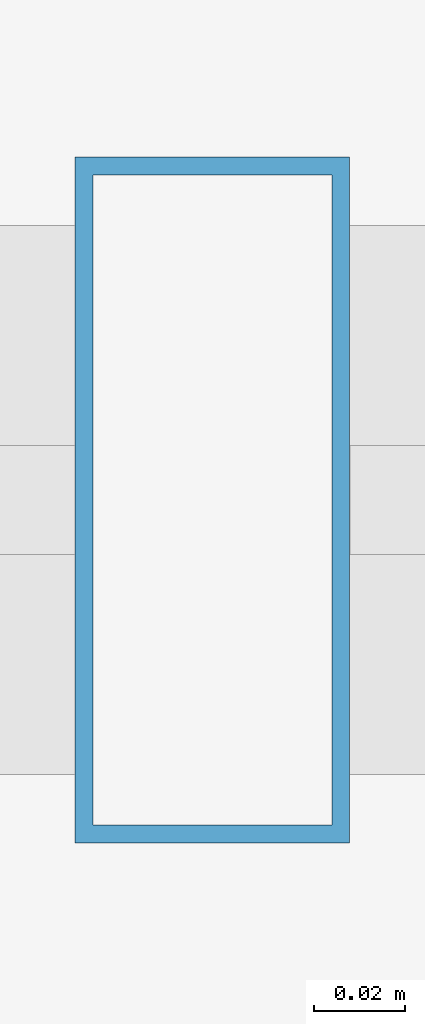
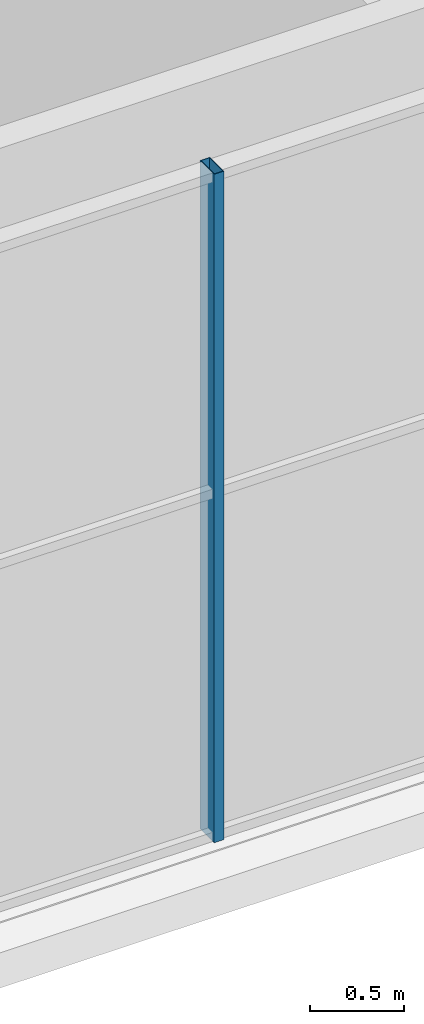
# One storey, part 9 of 27: 1 member, 1 element without a shape of its own.
"""IFC4 building model written with IfcOpenShell, lengths in metres."""

from ifc_helpers import new_model, si_unit, direction, frame, origin, origin_2d, place, context, subcontext, project, spatial, hollow_rectangle, extrude, source, transform, mapped, material, layer, layer_set, material_profile, profile_set, type_object, element, aggregate, save


model = new_model("IFC4")

# Units and contexts
model_context = context("Model", 3, precision=1e-05, world=origin(), true_north=direction((0.0, 1.0)))
body_context = subcontext(model_context, "Body", "Model", "MODEL_VIEW")
ifc_project = project(units=[si_unit("LENGTHUNIT", "METRE"), si_unit("AREAUNIT", "SQUARE_METRE"), si_unit("VOLUMEUNIT", "CUBIC_METRE"), si_unit("PLANEANGLEUNIT", "RADIAN"), si_unit("MASSUNIT", "GRAM", prefix="KILO")], contexts=[model_context])

# Site, building, storey
site_placement = place(None, origin())
site = spatial("IfcSite", under=ifc_project, at=site_placement, CompositionType="ELEMENT")
building_placement = place(site_placement, origin())
building = spatial("IfcBuilding", under=site, at=building_placement, Name="Zarnakvel Exchange Tower", CompositionType="ELEMENT")
storey_placement = place(building_placement, frame((0.0, 0.0, 294.60009765625)))
storey = spatial("IfcBuildingStorey", under=building, at=storey_placement, Name="Crown L82", CompositionType="ELEMENT", Elevation=294.60009765625)

# Curtain wall, member
ifc_material = material(Name="Architectural Bronze Anodised Aluminium", Category="aluminium")
ifc_layer = layer(ifc_material, 0.14990234375)
ifc_layer_set = layer_set([ifc_layer], Name="Architectural Bronze Anodised Aluminium")
curtain_wall_type = type_object("IfcCurtainWallType", Name="CW-07", PredefinedType="NOTDEFINED", material=ifc_layer_set)
curtain_wall_placement = place(storey_placement, origin())
curtain_wall = element("IfcCurtainWall", 1, at=curtain_wall_placement, inside=storey, type_object=curtain_wall_type, Name="Crown L82 Curtain Wall CW-Crown L82-S (CW-07)", PredefinedType="NOTDEFINED")
ifc_material_profile = material_profile(ifc_material, hollow_rectangle(XDim=0.14990234375, YDim=0.06005859375, WallThickness=0.00390625, at=origin_2d()))
ifc_profile_set = profile_set([ifc_material_profile], Name="Architectural Bronze Anodised Aluminium")
member_type = type_object("IfcMemberType", Name="CWM-07", PredefinedType="MULLION", material=ifc_profile_set)
shared_shape = source(origin(), body_context, "Body", "SweptSolid", [
    extrude(hollow_rectangle(XDim=0.14990234375, YDim=0.06005859375, WallThickness=0.00390625, at=origin_2d()), origin(), (0.0, 0.0, 1.0), 4.35986328125),
])
member_placement = place(storey_placement, frame((4.89990234375, -15.409912109375, 0.0), z_axis=(0.0, 0.0, 1.0), x_axis=(0.0, 1.0, 0.0)))
member = element("IfcMember", 2, at=member_placement, type_object=member_type, Name="CW-07 mullion 5", PredefinedType="MULLION", context=body_context, shape_type="MappedRepresentation", body=[
    mapped(shared_shape, transform((0.0, 0.0, 0.0), x_axis=(1.0, 0.0, 0.0), y_axis=(0.0, 1.0, 0.0), z_axis=(0.0, 0.0, 1.0), scale=1.0)),
])
aggregate(curtain_wall, [member])

save(model, "model.ifc")
